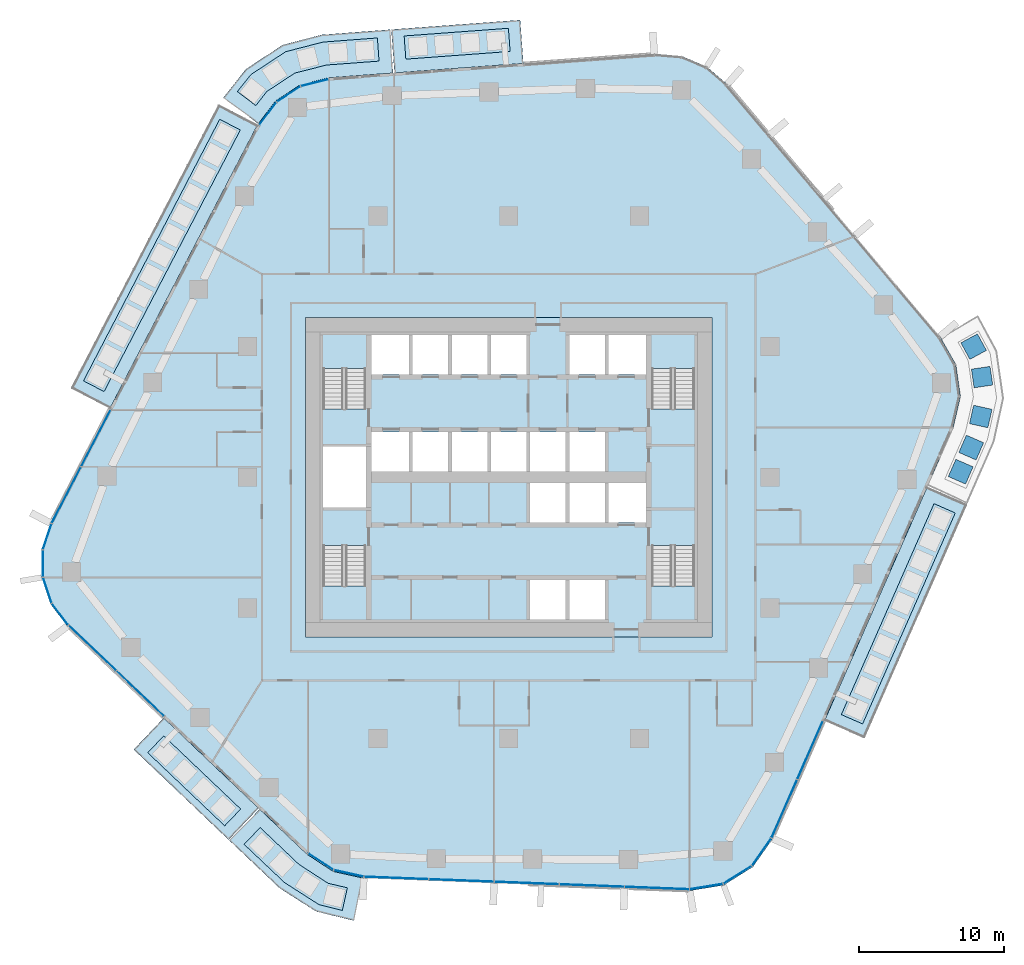
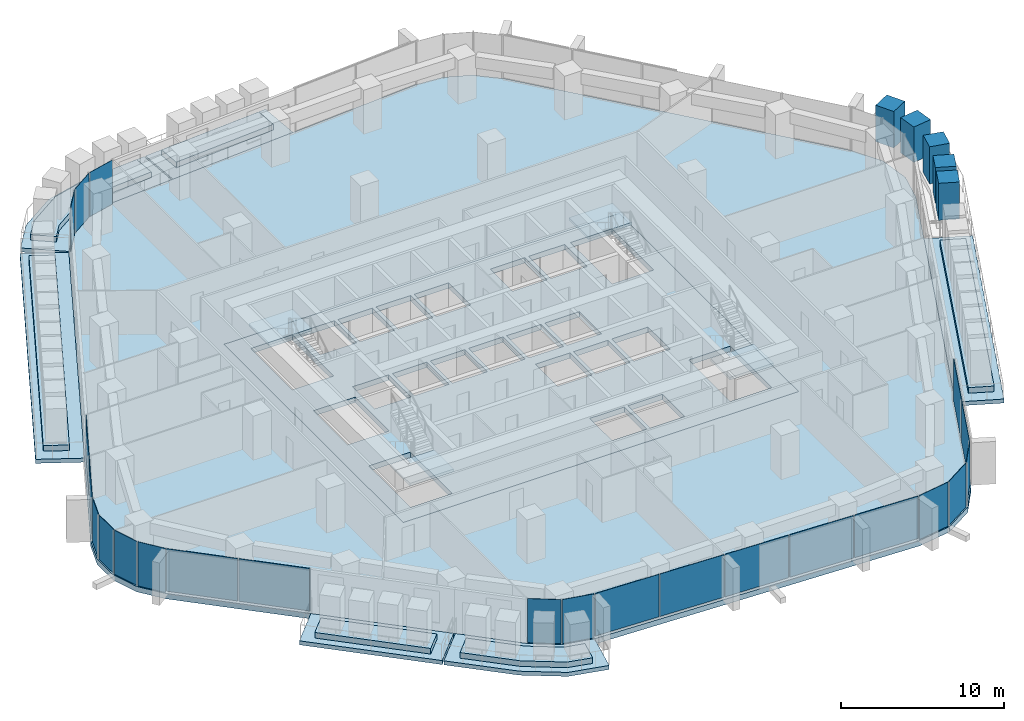
# One storey, part 10 of 23: 23 plates, 18 slabs, 5 members, 12 elements without a shape of their own.
"""IFC4 building model written with IfcOpenShell, lengths in metres."""

from ifc_helpers import new_model, si_unit, direction, frame, origin, origin_2d, place, context, subcontext, project, spatial, polyline, rectangle, outline, extrude, material, layer, layer_set, material_profile, profile_set, type_object, element, aggregate, save


model = new_model("IFC4")

# Units and contexts
model_context = context("Model", 3, precision=1e-05, world=origin(), true_north=direction((0.0, 1.0)))
body_context = subcontext(model_context, "Body", "Model", "MODEL_VIEW")
ifc_project = project(units=[si_unit("LENGTHUNIT", "METRE"), si_unit("AREAUNIT", "SQUARE_METRE"), si_unit("VOLUMEUNIT", "CUBIC_METRE"), si_unit("PLANEANGLEUNIT", "RADIAN"), si_unit("MASSUNIT", "GRAM", prefix="KILO")], contexts=[model_context])

# Site, building, storey
site_placement = place(None, origin())
site = spatial("IfcSite", under=ifc_project, at=site_placement, CompositionType="ELEMENT")
building_placement = place(site_placement, origin())
building = spatial("IfcBuilding", under=site, at=building_placement, Name="Dongbaek Canopy Tower", CompositionType="ELEMENT")
storey_placement = place(building_placement, frame((0.0, 0.0, 135.89990234375)))
storey = spatial("IfcBuildingStorey", under=building, at=storey_placement, Name="L30", CompositionType="ELEMENT", Elevation=135.89990234375)

# Members
ifc_material_1 = material(Name="Concrete C40/50 planter mass with planting", Category="concrete")
ifc_material_profile = material_profile(ifc_material_1, rectangle(XDim=1.300048828125, YDim=1.300048828125, at=origin_2d()), Name="Terrace PLANTER shrub mass 1300 x 1300")
ifc_profile_set = profile_set([ifc_material_profile], Name="Concrete C40/50 planter mass with planting")
member_type = type_object("IfcMemberType", Name="Terrace PLANTER shrub mass 1300 x 1300", PredefinedType="USERDEFINED", material=ifc_profile_set)
member_1_placement = place(storey_placement, frame((31.1435546875, 0.381591796875, 0.420166015625), z_axis=(0.0, 0.0, 1.0), x_axis=(0.916368384555, -0.40033608854, 0.0)))
element("IfcMember", 1, at=member_1_placement, inside=storey, type_object=member_type, Name="Planter shrubs L30 5.1", ObjectType="PLANTER", PredefinedType="USERDEFINED", context=body_context, shape_type="SweptSolid", body=[
    extrude(rectangle(XDim=1.300048828125, YDim=1.300048828125, at=origin_2d()), origin(), (0.0, 0.0, 1.0), 2.77001953125),
])
member_2_placement = place(storey_placement, frame((31.869140625, 2.042724609375, 0.420166015625), z_axis=(0.0, 0.0, 1.0), x_axis=(0.916368384555, -0.40033608854, 0.0)))
element("IfcMember", 2, at=member_2_placement, inside=storey, type_object=member_type, Name="Planter shrubs L30 5.2", ObjectType="PLANTER", PredefinedType="USERDEFINED", context=body_context, shape_type="SweptSolid", body=[
    extrude(rectangle(XDim=1.300048828125, YDim=1.300048828125, at=origin_2d()), origin(), (0.0, 0.0, 1.0), 2.68994140625),
])
member_3_placement = place(storey_placement, frame((32.525146484375, 4.183837890625, 0.420166015625), z_axis=(0.0, 0.0, 1.0), x_axis=(0.975891989306, -0.218254038242, 0.0)))
element("IfcMember", 3, at=member_3_placement, inside=storey, type_object=member_type, Name="Planter shrubs L30 5.3", ObjectType="PLANTER", PredefinedType="USERDEFINED", context=body_context, shape_type="SweptSolid", body=[
    extrude(rectangle(XDim=1.300048828125, YDim=1.300048828125, at=origin_2d()), origin(), (0.0, 0.0, 1.0), 2.780029296875),
])
member_4_placement = place(storey_placement, frame((32.615234375, 6.899658203125, 0.420166015625), z_axis=(0.0, 0.0, 1.0), x_axis=(0.989740633835, 0.142875742295, 0.0)))
element("IfcMember", 4, at=member_4_placement, inside=storey, type_object=member_type, Name="Planter shrubs L30 5.4", ObjectType="PLANTER", PredefinedType="USERDEFINED", context=body_context, shape_type="SweptSolid", body=[
    extrude(rectangle(XDim=1.300048828125, YDim=1.300048828125, at=origin_2d()), origin(), (0.0, 0.0, 1.0), 2.64990234375),
])
member_5_placement = place(storey_placement, frame((32.036376953125, 8.999267578125, 0.420166015625), z_axis=(0.0, 0.0, 1.0), x_axis=(0.879276627689, 0.476311465325, 0.0)))
element("IfcMember", 5, at=member_5_placement, inside=storey, type_object=member_type, Name="Planter shrubs L30 5.5", ObjectType="PLANTER", PredefinedType="USERDEFINED", context=body_context, shape_type="SweptSolid", body=[
    extrude(rectangle(XDim=1.300048828125, YDim=1.300048828125, at=origin_2d()), origin(), (0.0, 0.0, 1.0), 2.72998046875),
])

# Slabs
ifc_material_2 = material(Name="Concrete C40/50", Category="concrete")
ifc_layer_1 = layer(ifc_material_2, 0.300048828125)
ifc_layer_set_1 = layer_set([ifc_layer_1], Name="Balcony slab 300")
slab_type_1 = type_object("IfcSlabType", Name="Balcony slab 300", PredefinedType="FLOOR", material=ifc_layer_set_1)
slab_1_placement = place(storey_placement, frame((0.0, 0.0, -0.2998046875)))
element("IfcSlab", 6, at=slab_1_placement, inside=storey, type_object=slab_type_1, Name="Balcony L30 1", PredefinedType="FLOOR", context=body_context, shape_type="SweptSolid", body=[
    extrude(outline(polyline([(1.007568359375, 28.51513671875), (-7.8740234375, 27.8603515625), (-8.094482421875, 30.852294921875), (0.787109375, 31.507080078125), (1.007568359375, 28.51513671875)])), origin(), (0.0, 0.0, 1.0), 0.2998046875),
])
slab_2_placement = place(storey_placement, frame((0.0, 0.0, -0.2998046875)))
element("IfcSlab", 7, at=slab_2_placement, inside=storey, type_object=slab_type_1, Name="Balcony L30 6", PredefinedType="FLOOR", context=body_context, shape_type="SweptSolid", body=[
    extrude(outline(polyline([(-7.9736328125, 27.85302734375), (-12.41455078125, 27.525634765625), (-14.37939453125, 27.038330078125), (-16.0703125, 25.92529296875), (-17.2646484375, 24.353271484375), (-19.653564453125, 26.16796875), (-18.118896484375, 28.1171875), (-15.582275390625, 29.78662109375), (-12.887451171875, 30.48828125), (-8.1943359375, 30.844970703125), (-7.9736328125, 27.85302734375)])), origin(), (0.0, 0.0, 1.0), 0.2998046875),
])
slab_3_placement = place(storey_placement, frame((0.0, 0.0, -0.2998046875)))
element("IfcSlab", 8, at=slab_3_placement, inside=storey, type_object=slab_type_1, Name="Balcony L30 2", PredefinedType="FLOOR", context=body_context, shape_type="SweptSolid", body=[
    extrude(outline(polyline([(-17.318115234375, 24.26904296875), (-27.489990234375, 4.737548828125), (-30.150634765625, 6.123291015625), (-19.978759765625, 25.65478515625), (-17.318115234375, 24.26904296875)])), origin(), (0.0, 0.0, 1.0), 0.2998046875),
])
slab_4_placement = place(storey_placement, frame((0.0, 0.0, -0.2998046875)))
element("IfcSlab", 9, at=slab_4_placement, inside=storey, type_object=slab_type_1, Name="Balcony L30 3", PredefinedType="FLOOR", context=body_context, shape_type="SweptSolid", body=[
    extrude(outline(polyline([(-23.774169921875, -16.59130859375), (-17.242431640625, -22.805908203125), (-19.310302734375, -24.979248046875), (-25.842041015625, -18.7646484375), (-23.774169921875, -16.59130859375)])), origin(), (0.0, 0.0, 1.0), 0.2998046875),
])
slab_5_placement = place(storey_placement, frame((0.0, 0.0, -0.2998046875)))
element("IfcSlab", 10, at=slab_5_placement, inside=storey, type_object=slab_type_1, Name="Balcony L30 7", PredefinedType="FLOOR", context=body_context, shape_type="SweptSolid", body=[
    extrude(outline(polyline([(-17.169921875, -22.874755859375), (-13.904052734375, -25.982177734375), (-12.102294921875, -27.16259765625), (-10.048583984375, -27.619873046875), (-10.70068359375, -30.54833984375), (-13.269287109375, -29.92626953125), (-15.767578125, -28.3330078125), (-19.23779296875, -25.048095703125), (-17.169921875, -22.874755859375)])), origin(), (0.0, 0.0, 1.0), 0.2998046875),
])
slab_6_placement = place(storey_placement, frame((0.0, 0.0, -0.2998046875)))
element("IfcSlab", 11, at=slab_6_placement, inside=storey, type_object=slab_type_1, Name="Balcony L30 4", PredefinedType="FLOOR", context=body_context, shape_type="SweptSolid", body=[
    extrude(outline(polyline([(21.761962890625, -16.77783203125), (28.8310546875, -0.68505859375), (31.57763671875, -1.8916015625), (24.5087890625, -17.984375), (21.761962890625, -16.77783203125)])), origin(), (0.0, 0.0, 1.0), 0.2998046875),
])

# Curtain wall, plates
ifc_material_3 = material(Name="Aluminium 6063-T6 pale anodised", Category="aluminium")
ifc_layer_2 = layer(ifc_material_3, 0.199951171875)
ifc_layer_set_2 = layer_set([ifc_layer_2], Name="CW-1 unitised tower curtain wall")
curtain_wall_type = type_object("IfcCurtainWallType", Name="CW-1 unitised tower curtain wall", PredefinedType="NOTDEFINED", material=ifc_layer_set_2)
curtain_wall_1_placement = place(storey_placement, origin())
curtain_wall_1 = element("IfcCurtainWall", 12, at=curtain_wall_1_placement, inside=storey, type_object=curtain_wall_type, Name="CW-1 curtain wall K2.1", PredefinedType="NOTDEFINED")
ifc_material_4 = material(Name="Clear laminated glass", Category="glass")
ifc_layer_3 = layer(ifc_material_4, 0.028076171875)
ifc_layer_set_3 = layer_set([ifc_layer_3], Name="CW-1 glazed panel 28")
plate_type = type_object("IfcPlateType", Name="CW-1 glazed panel 28", PredefinedType="CURTAIN_PANEL", material=ifc_layer_set_3)
plate_1_placement = place(storey_placement, frame((-13.36865234375, 27.18603515625, 0.0), z_axis=(0.0, 0.0, 1.0), x_axis=(-0.970597377622, -0.240708808634, 0.0)))
plate_1 = element("IfcPlate", 13, at=plate_1_placement, type_object=plate_type, Name="CW-1 panel K2.1.1.1", PredefinedType="CURTAIN_PANEL", context=body_context, shape_type="SweptSolid", body=[
    extrude(rectangle(XDim=1.914794921875, YDim=0.028076171875, at=origin_2d()), origin(), (0.0, 0.0, 1.0), 3.300048828125),
])
plate_2_placement = place(storey_placement, frame((-15.169921875, 26.3984375, 0.0), z_axis=(0.0, 0.0, 1.0), x_axis=(-0.835300549242, -0.549793590756, 0.0)))
plate_2 = element("IfcPlate", 14, at=plate_2_placement, type_object=plate_type, Name="CW-1 panel K2.1.2.1", PredefinedType="CURTAIN_PANEL", context=body_context, shape_type="SweptSolid", body=[
    extrude(rectangle(XDim=1.90625, YDim=0.028076171875, at=origin_2d()), origin(), (0.0, 0.0, 1.0), 3.300048828125),
])
plate_3_placement = place(storey_placement, frame((-16.60546875, 25.055419921875, 0.0), z_axis=(0.0, 0.0, 1.0), x_axis=(-0.604914247086, -0.796290621364, 0.0)))
plate_3 = element("IfcPlate", 15, at=plate_3_placement, type_object=plate_type, Name="CW-1 panel K2.1.3.1", PredefinedType="CURTAIN_PANEL", context=body_context, shape_type="SweptSolid", body=[
    extrude(rectangle(XDim=1.914794921875, YDim=0.028076171875, at=origin_2d()), origin(), (0.0, 0.0, 1.0), 3.300048828125),
])
aggregate(curtain_wall_1, [plate_1, plate_2, plate_3])

curtain_wall_2_placement = place(storey_placement, origin())
curtain_wall_2 = element("IfcCurtainWall", 16, at=curtain_wall_2_placement, inside=storey, type_object=curtain_wall_type, Name="CW-1 curtain wall F2.1", PredefinedType="NOTDEFINED")
plate_4_placement = place(storey_placement, frame((-28.4462890625, 2.68505859375, 0.1201171875), z_axis=(0.0, 0.0, 1.0), x_axis=(-0.461910135693, -0.886926731215, 0.0)))
plate_4 = element("IfcPlate", 17, at=plate_4_placement, type_object=plate_type, Name="CW-1 panel F2.1.1.1", PredefinedType="CURTAIN_PANEL", context=body_context, shape_type="SweptSolid", body=[
    extrude(rectangle(XDim=4.34033203125, YDim=0.028076171875, at=origin_2d()), origin(), (0.0, 0.0, 1.0), 3.179931640625),
])
plate_5_placement = place(storey_placement, frame((-30.488037109375, -1.2353515625, 0.1201171875), z_axis=(0.0, 0.0, 1.0), x_axis=(-0.461910135693, -0.886926731215, 0.0)))
plate_5 = element("IfcPlate", 18, at=plate_5_placement, type_object=plate_type, Name="CW-1 panel F2.1.2.1", PredefinedType="CURTAIN_PANEL", context=body_context, shape_type="SweptSolid", body=[
    extrude(rectangle(XDim=4.332275390625, YDim=0.028076171875, at=origin_2d()), origin(), (0.0, 0.0, 1.0), 3.179931640625),
])
aggregate(curtain_wall_2, [plate_4, plate_5])

curtain_wall_3_placement = place(storey_placement, origin())
curtain_wall_3 = element("IfcCurtainWall", 19, at=curtain_wall_3_placement, inside=storey, type_object=curtain_wall_type, Name="CW-1 curtain wall K3.1", PredefinedType="NOTDEFINED")
plate_6_placement = place(storey_placement, frame((-31.80615234375, -4.097412109375, 0.0), z_axis=(0.0, 0.0, 1.0), x_axis=(-0.31347024555, -0.949598022931, 0.0)))
plate_6 = element("IfcPlate", 20, at=plate_6_placement, type_object=plate_type, Name="CW-1 panel K3.1.1.1", PredefinedType="CURTAIN_PANEL", context=body_context, shape_type="SweptSolid", body=[
    extrude(rectangle(XDim=1.81884765625, YDim=0.028076171875, at=origin_2d()), origin(), (0.0, 0.0, 1.0), 3.300048828125),
])
plate_7_placement = place(storey_placement, frame((-32.100830078125, -5.9482421875, 0.0), z_axis=(0.0, 0.0, 1.0), x_axis=(0.003759466115, -0.999992933182, 0.0)))
plate_7 = element("IfcPlate", 21, at=plate_7_placement, type_object=plate_type, Name="CW-1 panel K3.1.2.1", PredefinedType="CURTAIN_PANEL", context=body_context, shape_type="SweptSolid", body=[
    extrude(rectangle(XDim=1.810791015625, YDim=0.028076171875, at=origin_2d()), origin(), (0.0, 0.0, 1.0), 3.300048828125),
])
plate_8_placement = place(storey_placement, frame((-31.79345703125, -7.79296875, 0.0), z_axis=(0.0, 0.0, 1.0), x_axis=(0.320601297373, -0.9472142356, 0.0)))
plate_8 = element("IfcPlate", 22, at=plate_8_placement, type_object=plate_type, Name="CW-1 panel K3.1.3.1", PredefinedType="CURTAIN_PANEL", context=body_context, shape_type="SweptSolid", body=[
    extrude(rectangle(XDim=1.810791015625, YDim=0.028076171875, at=origin_2d()), origin(), (0.0, 0.0, 1.0), 3.300048828125),
])
plate_9_placement = place(storey_placement, frame((-30.914794921875, -9.4482421875, 0.0), z_axis=(0.0, 0.0, 1.0), x_axis=(0.604365302334, -0.796707337317, 0.0)))
plate_9 = element("IfcPlate", 23, at=plate_9_placement, type_object=plate_type, Name="CW-1 panel K3.1.4.1", PredefinedType="CURTAIN_PANEL", context=body_context, shape_type="SweptSolid", body=[
    extrude(rectangle(XDim=1.81884765625, YDim=0.028076171875, at=origin_2d()), origin(), (0.0, 0.0, 1.0), 3.300048828125),
])
aggregate(curtain_wall_3, [plate_6, plate_7, plate_8, plate_9])

curtain_wall_4_placement = place(storey_placement, origin())
curtain_wall_4 = element("IfcCurtainWall", 24, at=curtain_wall_4_placement, inside=storey, type_object=curtain_wall_type, Name="CW-1 curtain wall F3.1", PredefinedType="NOTDEFINED")
plate_10_placement = place(storey_placement, frame((-28.691650390625, -11.7744140625, 0.1201171875), z_axis=(0.0, 0.0, 1.0), x_axis=(0.724474243555, -0.689301871769, 0.0)))
plate_10 = element("IfcPlate", 25, at=plate_10_placement, type_object=plate_type, Name="CW-1 panel F3.1.1.1", PredefinedType="CURTAIN_PANEL", context=body_context, shape_type="SweptSolid", body=[
    extrude(rectangle(XDim=4.4658203125, YDim=0.028076171875, at=origin_2d()), origin(), (0.0, 0.0, 1.0), 3.179931640625),
])
plate_11_placement = place(storey_placement, frame((-25.392578125, -14.913330078125, 0.1201171875), z_axis=(0.0, 0.0, 1.0), x_axis=(0.724474243555, -0.689301871769, 0.0)))
plate_11 = element("IfcPlate", 26, at=plate_11_placement, type_object=plate_type, Name="CW-1 panel F3.1.2.1", PredefinedType="CURTAIN_PANEL", context=body_context, shape_type="SweptSolid", body=[
    extrude(rectangle(XDim=4.473876953125, YDim=0.028076171875, at=origin_2d()), origin(), (0.0, 0.0, 1.0), 3.179931640625),
])
aggregate(curtain_wall_4, [plate_10, plate_11])

curtain_wall_5_placement = place(storey_placement, origin())
curtain_wall_5 = element("IfcCurtainWall", 27, at=curtain_wall_5_placement, inside=storey, type_object=curtain_wall_type, Name="CW-1 curtain wall K4.1", PredefinedType="NOTDEFINED")
plate_12_placement = place(storey_placement, frame((-12.9521484375, -26.486328125, 0.0), z_axis=(0.0, 0.0, 1.0), x_axis=(0.83643911964, -0.548059849958, 0.0)))
plate_12 = element("IfcPlate", 28, at=plate_12_placement, type_object=plate_type, Name="CW-1 panel K4.1.1.1", PredefinedType="CURTAIN_PANEL", context=body_context, shape_type="SweptSolid", body=[
    extrude(rectangle(XDim=2.042724609375, YDim=0.028076171875, at=origin_2d()), origin(), (0.0, 0.0, 1.0), 3.300048828125),
])
plate_13_placement = place(storey_placement, frame((-11.02490234375, -27.300048828125, 0.0), z_axis=(0.0, 0.0, 1.0), x_axis=(0.976098056776, -0.21733058588, 0.0)))
plate_13 = element("IfcPlate", 29, at=plate_13_placement, type_object=plate_type, Name="CW-1 panel K4.1.2.1", PredefinedType="CURTAIN_PANEL", context=body_context, shape_type="SweptSolid", body=[
    extrude(rectangle(XDim=2.042724609375, YDim=0.028076171875, at=origin_2d()), origin(), (0.0, 0.0, 1.0), 3.300048828125),
])
aggregate(curtain_wall_5, [plate_12, plate_13])

curtain_wall_6_placement = place(storey_placement, origin())
curtain_wall_6 = element("IfcCurtainWall", 30, at=curtain_wall_6_placement, inside=storey, type_object=curtain_wall_type, Name="CW-1 curtain wall F4.1", PredefinedType="NOTDEFINED")
plate_14_placement = place(storey_placement, frame((-7.7451171875, -27.61767578125, 0.1201171875), z_axis=(0.0, 0.0, 1.0), x_axis=(0.999255235504, -0.038587229989, 0.0)))
plate_14 = element("IfcPlate", 31, at=plate_14_placement, type_object=plate_type, Name="CW-1 panel F4.1.1.1", PredefinedType="CURTAIN_PANEL", context=body_context, shape_type="SweptSolid", body=[
    extrude(rectangle(XDim=4.40283203125, YDim=0.028076171875, at=origin_2d()), origin(), (0.0, 0.0, 1.0), 3.179931640625),
])
plate_15_placement = place(storey_placement, frame((-3.25732421875, -27.791015625, 0.1201171875), z_axis=(0.0, 0.0, 1.0), x_axis=(0.999255235504, -0.038587229989, 0.0)))
plate_15 = element("IfcPlate", 32, at=plate_15_placement, type_object=plate_type, Name="CW-1 panel F4.1.2.1", PredefinedType="CURTAIN_PANEL", context=body_context, shape_type="SweptSolid", body=[
    extrude(rectangle(XDim=4.411865234375, YDim=0.028076171875, at=origin_2d()), origin(), (0.0, 0.0, 1.0), 3.179931640625),
])
plate_16_placement = place(storey_placement, frame((1.235107421875, -27.964599609375, 0.1201171875), z_axis=(0.0, 0.0, 1.0), x_axis=(0.999255235504, -0.038587229989, 0.0)))
plate_16 = element("IfcPlate", 33, at=plate_16_placement, type_object=plate_type, Name="CW-1 panel F4.1.3.1", PredefinedType="CURTAIN_PANEL", context=body_context, shape_type="SweptSolid", body=[
    extrude(rectangle(XDim=4.411865234375, YDim=0.028076171875, at=origin_2d()), origin(), (0.0, 0.0, 1.0), 3.179931640625),
])
plate_17_placement = place(storey_placement, frame((5.7275390625, -28.137939453125, 0.1201171875), z_axis=(0.0, 0.0, 1.0), x_axis=(0.999255235504, -0.038587229989, 0.0)))
plate_17 = element("IfcPlate", 34, at=plate_17_placement, type_object=plate_type, Name="CW-1 panel F4.1.4.1", PredefinedType="CURTAIN_PANEL", context=body_context, shape_type="SweptSolid", body=[
    extrude(rectangle(XDim=4.411865234375, YDim=0.028076171875, at=origin_2d()), origin(), (0.0, 0.0, 1.0), 3.179931640625),
])
plate_18_placement = place(storey_placement, frame((10.215087890625, -28.311279296875, 0.1201171875), z_axis=(0.0, 0.0, 1.0), x_axis=(0.999255235504, -0.038587229989, 0.0)))
plate_18 = element("IfcPlate", 35, at=plate_18_placement, type_object=plate_type, Name="CW-1 panel F4.1.5.1", PredefinedType="CURTAIN_PANEL", context=body_context, shape_type="SweptSolid", body=[
    extrude(rectangle(XDim=4.40185546875, YDim=0.028076171875, at=origin_2d()), origin(), (0.0, 0.0, 1.0), 3.179931640625),
])
aggregate(curtain_wall_6, [plate_14, plate_15, plate_16, plate_17, plate_18])

curtain_wall_7_placement = place(storey_placement, origin())
curtain_wall_7 = element("IfcCurtainWall", 36, at=curtain_wall_7_placement, inside=storey, type_object=curtain_wall_type, Name="CW-1 curtain wall K5.1", PredefinedType="NOTDEFINED")
plate_19_placement = place(storey_placement, frame((13.61376953125, -28.21044921875, 0.0), z_axis=(0.0, 0.0, 1.0), x_axis=(0.987122987315, 0.159963145489, 0.0)))
plate_19 = element("IfcPlate", 37, at=plate_19_placement, type_object=plate_type, Name="CW-1 panel K5.1.1.1", PredefinedType="CURTAIN_PANEL", context=body_context, shape_type="SweptSolid", body=[
    extrude(rectangle(XDim=2.260986328125, YDim=0.028076171875, at=origin_2d()), origin(), (0.0, 0.0, 1.0), 3.300048828125),
])
plate_20_placement = place(storey_placement, frame((15.7607421875, -27.403564453125, 0.0), z_axis=(0.0, 0.0, 1.0), x_axis=(0.847704415515, 0.53046887177, 0.0)))
plate_20 = element("IfcPlate", 38, at=plate_20_placement, type_object=plate_type, Name="CW-1 panel K5.1.2.1", PredefinedType="CURTAIN_PANEL", context=body_context, shape_type="SweptSolid", body=[
    extrude(rectangle(XDim=2.250732421875, YDim=0.028076171875, at=origin_2d()), origin(), (0.0, 0.0, 1.0), 3.300048828125),
])
plate_21_placement = place(storey_placement, frame((17.425048828125, -25.8251953125, 0.0), z_axis=(0.0, 0.0, 1.0), x_axis=(0.575440362744, 0.817843743587, 0.0)))
plate_21 = element("IfcPlate", 39, at=plate_21_placement, type_object=plate_type, Name="CW-1 panel K5.1.3.1", PredefinedType="CURTAIN_PANEL", context=body_context, shape_type="SweptSolid", body=[
    extrude(rectangle(XDim=2.260986328125, YDim=0.028076171875, at=origin_2d()), origin(), (0.0, 0.0, 1.0), 3.300048828125),
])
aggregate(curtain_wall_7, [plate_19, plate_20, plate_21])

curtain_wall_8_placement = place(storey_placement, origin())
curtain_wall_8 = element("IfcCurtainWall", 40, at=curtain_wall_8_placement, inside=storey, type_object=curtain_wall_type, Name="CW-1 curtain wall F5.1", PredefinedType="NOTDEFINED")
plate_22_placement = place(storey_placement, frame((18.986572265625, -22.847900390625, 0.1201171875), z_axis=(0.0, 0.0, 1.0), x_axis=(0.402176063698, 0.915562348389, 0.0)))
plate_22 = element("IfcPlate", 41, at=plate_22_placement, type_object=plate_type, Name="CW-1 panel F5.1.1.1", PredefinedType="CURTAIN_PANEL", context=body_context, shape_type="SweptSolid", body=[
    extrude(rectangle(XDim=4.3251953125, YDim=0.028076171875, at=origin_2d()), origin(), (0.0, 0.0, 1.0), 3.179931640625),
])
plate_23_placement = place(storey_placement, frame((20.76171875, -18.806396484375, 0.1201171875), z_axis=(0.0, 0.0, 1.0), x_axis=(0.402176063698, 0.915562348389, 0.0)))
plate_23 = element("IfcPlate", 42, at=plate_23_placement, type_object=plate_type, Name="CW-1 panel F5.1.2.1", PredefinedType="CURTAIN_PANEL", context=body_context, shape_type="SweptSolid", body=[
    extrude(rectangle(XDim=4.335205078125, YDim=0.028076171875, at=origin_2d()), origin(), (0.0, 0.0, 1.0), 3.179931640625),
])
aggregate(curtain_wall_8, [plate_22, plate_23])

# Slab
ifc_material_5 = material(Name="Concrete C40/50", Category="concrete")
ifc_layer_4 = layer(ifc_material_5, 0.39990234375)
ifc_layer_set_4 = layer_set([ifc_layer_4], Name="Core floor slab 400 Concrete C40/50")
slab_type_2 = type_object("IfcSlabType", Name="Core floor slab 400 Concrete C40/50", PredefinedType="FLOOR", material=ifc_layer_set_4)
slab_7_placement = place(storey_placement, frame((0.0, 0.0, -0.39990234375)))
element("IfcSlab", 43, at=slab_7_placement, inside=storey, type_object=slab_type_2, Name="Core floor slab L30", PredefinedType="FLOOR", context=body_context, shape_type="SweptSolid", body=[
    extrude(outline(polyline([(14.0, -11.0), (14.0, 11.0), (-14.0, 11.0), (-14.0, -11.0), (14.0, -11.0)]), holes=[polyline([(-12.800048828125, 2.10009765625), (-9.85009765625, 2.10009765625), (-9.85009765625, -2.10009765625), (-12.800048828125, -2.10009765625), (-12.800048828125, 2.10009765625)]), polyline([(-6.875, 9.800048828125), (-6.875, 7.074951171875), (-9.449951171875, 7.074951171875), (-9.449951171875, 9.800048828125), (-6.875, 9.800048828125)]), polyline([(-4.175048828125, 9.800048828125), (-4.175048828125, 7.074951171875), (-6.625, 7.074951171875), (-6.625, 9.800048828125), (-4.175048828125, 9.800048828125)]), polyline([(-1.47509765625, 9.800048828125), (-1.47509765625, 7.074951171875), (-3.925048828125, 7.074951171875), (-3.925048828125, 9.800048828125), (-1.47509765625, 9.800048828125)]), polyline([(1.22509765625, 9.800048828125), (1.22509765625, 7.074951171875), (-1.22509765625, 7.074951171875), (-1.22509765625, 9.800048828125), (1.22509765625, 9.800048828125)]), polyline([(6.625, 9.800048828125), (6.625, 7.074951171875), (4.175048828125, 7.074951171875), (4.175048828125, 9.800048828125), (6.625, 9.800048828125)]), polyline([(9.449951171875, 7.074951171875), (6.875, 7.074951171875), (6.875, 9.800048828125), (9.449951171875, 9.800048828125), (9.449951171875, 7.074951171875)]), polyline([(-9.449951171875, 3.125), (-6.875, 3.125), (-6.875, 0.39990234375), (-9.449951171875, 0.39990234375), (-9.449951171875, 3.125)]), polyline([(-6.625, 3.125), (-4.175048828125, 3.125), (-4.175048828125, 0.39990234375), (-6.625, 0.39990234375), (-6.625, 3.125)]), polyline([(-3.925048828125, 3.125), (-1.47509765625, 3.125), (-1.47509765625, 0.39990234375), (-3.925048828125, 0.39990234375), (-3.925048828125, 3.125)]), polyline([(1.22509765625, 3.125), (1.22509765625, 0.39990234375), (-1.22509765625, 0.39990234375), (-1.22509765625, 3.125), (1.22509765625, 3.125)]), polyline([(1.47509765625, 3.125), (3.925048828125, 3.125), (3.925048828125, 0.39990234375), (1.47509765625, 0.39990234375), (1.47509765625, 3.125)]), polyline([(4.175048828125, 3.125), (6.625, 3.125), (6.625, 0.39990234375), (4.175048828125, 0.39990234375), (4.175048828125, 3.125)]), polyline([(1.47509765625, -0.39990234375), (3.925048828125, -0.39990234375), (3.925048828125, -3.125), (1.47509765625, -3.125), (1.47509765625, -0.39990234375)]), polyline([(4.175048828125, -0.39990234375), (6.625, -0.39990234375), (6.625, -3.125), (4.175048828125, -3.125), (4.175048828125, -0.39990234375)]), polyline([(9.449951171875, -3.125), (6.875, -3.125), (6.875, -0.39990234375), (9.449951171875, -0.39990234375), (9.449951171875, -3.125)]), polyline([(1.47509765625, -9.800048828125), (1.47509765625, -7.074951171875), (3.925048828125, -7.074951171875), (3.925048828125, -9.800048828125), (1.47509765625, -9.800048828125)]), polyline([(4.175048828125, -9.800048828125), (4.175048828125, -7.074951171875), (6.625, -7.074951171875), (6.625, -9.800048828125), (4.175048828125, -9.800048828125)]), polyline([(12.800048828125, 4.70068359375), (12.800048828125, 9.800048828125), (9.85009765625, 9.800048828125), (9.85009765625, 4.70068359375), (12.800048828125, 4.70068359375)]), polyline([(-9.85009765625, 4.70068359375), (-9.85009765625, 9.800048828125), (-12.800048828125, 9.800048828125), (-12.800048828125, 4.70068359375), (-9.85009765625, 4.70068359375)]), polyline([(9.85009765625, -4.70068359375), (9.85009765625, -9.800048828125), (12.800048828125, -9.800048828125), (12.800048828125, -4.70068359375), (9.85009765625, -4.70068359375)]), polyline([(-12.800048828125, -4.70068359375), (-12.800048828125, -9.800048828125), (-9.85009765625, -9.800048828125), (-9.85009765625, -4.70068359375), (-12.800048828125, -4.70068359375)])]), origin(), (0.0, 0.0, 1.0), 0.39990234375),
])

# Stair, slab
ifc_material_6 = material(Name="Concrete C40/50", Category="concrete")
stair_type = type_object("IfcStairType", Name="Core exit stair", PredefinedType="HALF_TURN_STAIR", material=ifc_material_6)
stair_1_placement = place(storey_placement, origin())
stair_1 = element("IfcStair", 44, at=stair_1_placement, inside=storey, type_object=stair_type, Name="L30 exit stair A", PredefinedType="HALF_TURN_STAIR")
ifc_material_7 = material(Name="Concrete C40/50", Category="concrete")
ifc_layer_5 = layer(ifc_material_7, 0.199951171875)
ifc_layer_set_5 = layer_set([ifc_layer_5], Name="Core stair landing 200")
slab_type_3 = type_object("IfcSlabType", Name="Core stair landing 200", PredefinedType="LANDING", material=ifc_layer_set_5)
slab_8_placement = place(storey_placement, frame((0.0, 0.0, 1.650146484375)))
slab_8 = element("IfcSlab", 45, at=slab_8_placement, type_object=slab_type_3, Name="ST-A landing 1", PredefinedType="LANDING", context=body_context, shape_type="SweptSolid", body=[
    extrude(outline(polyline([(12.875, 7.5), (12.875, 9.875), (9.77490234375, 9.875), (9.77490234375, 7.5), (12.875, 7.5)])), origin(), (0.0, 0.0, 1.0), 0.199951171875),
])
aggregate(stair_1, [slab_8])

stair_2_placement = place(storey_placement, origin())
stair_2 = element("IfcStair", 46, at=stair_2_placement, inside=storey, type_object=stair_type, Name="L30 exit stair C", PredefinedType="HALF_TURN_STAIR")
slab_9_placement = place(storey_placement, frame((0.0, 0.0, 1.650146484375)))
slab_9 = element("IfcSlab", 47, at=slab_9_placement, type_object=slab_type_3, Name="ST-C landing 1", PredefinedType="LANDING", context=body_context, shape_type="SweptSolid", body=[
    extrude(outline(polyline([(-9.77490234375, 7.5), (-9.77490234375, 9.875), (-12.875, 9.875), (-12.875, 7.5), (-9.77490234375, 7.5)])), origin(), (0.0, 0.0, 1.0), 0.199951171875),
])
aggregate(stair_2, [slab_9])

stair_3_placement = place(storey_placement, origin())
stair_3 = element("IfcStair", 48, at=stair_3_placement, inside=storey, type_object=stair_type, Name="L30 exit stair B", PredefinedType="HALF_TURN_STAIR")
slab_10_placement = place(storey_placement, frame((0.0, 0.0, 1.650146484375)))
slab_10 = element("IfcSlab", 49, at=slab_10_placement, type_object=slab_type_3, Name="ST-B landing 1", PredefinedType="LANDING", context=body_context, shape_type="SweptSolid", body=[
    extrude(outline(polyline([(9.77490234375, -7.5), (9.77490234375, -9.875), (12.875, -9.875), (12.875, -7.5), (9.77490234375, -7.5)])), origin(), (0.0, 0.0, 1.0), 0.199951171875),
])
aggregate(stair_3, [slab_10])

stair_4_placement = place(storey_placement, origin())
stair_4 = element("IfcStair", 50, at=stair_4_placement, inside=storey, type_object=stair_type, Name="L30 exit stair D", PredefinedType="HALF_TURN_STAIR")
slab_11_placement = place(storey_placement, frame((0.0, 0.0, 1.650146484375)))
slab_11 = element("IfcSlab", 51, at=slab_11_placement, type_object=slab_type_3, Name="ST-D landing 1", PredefinedType="LANDING", context=body_context, shape_type="SweptSolid", body=[
    extrude(outline(polyline([(-12.875, -7.5), (-12.875, -9.875), (-9.77490234375, -9.875), (-9.77490234375, -7.5), (-12.875, -7.5)])), origin(), (0.0, 0.0, 1.0), 0.199951171875),
])
aggregate(stair_4, [slab_11])

# Slabs
ifc_material_8 = material(Name="Concrete C40", Category="concrete")
ifc_layer_6 = layer(ifc_material_8, 0.39990234375)
ifc_layer_set_6 = layer_set([ifc_layer_6], Name="RC FLAT PLATE 400 Concrete C40")
slab_type_4 = type_object("IfcSlabType", Name="RC FLAT PLATE 400 Concrete C40", PredefinedType="FLOOR", material=ifc_layer_set_6)
slab_12_placement = place(storey_placement, frame((0.0, 0.0, -0.39990234375)))
element("IfcSlab", 52, at=slab_12_placement, inside=storey, type_object=slab_type_4, Name="SLAB:L30", PredefinedType="FLOOR", context=body_context, shape_type="SweptSolid", body=[
    extrude(outline(polyline([(18.1875, -24.915771484375), (16.820556640625, -26.8583984375), (14.80712890625, -28.118408203125), (12.46240234375, -28.498291015625), (-9.999755859375, -27.630859375), (-12.102294921875, -27.16259765625), (-13.904052734375, -25.982177734375), (-30.41455078125, -10.273193359375), (-31.579345703125, -8.73779296875), (-32.197265625, -6.912109375), (-32.20458984375, -4.985107421875), (-31.600341796875, -3.15478515625), (-17.294921875, 24.3134765625), (-16.0703125, 25.92529296875), (-14.37939453125, 27.038330078125), (-12.41455078125, 27.525634765625), (10.038818359375, 29.180908203125), (11.911865234375, 29.023681640625), (13.64453125, 28.294677734375), (15.06640625, 27.065185546875), (29.7216796875, 9.68798828125), (30.81298828125, 7.759033203125), (31.129638671875, 5.565673828125), (30.62841796875, 3.40673828125), (18.1875, -24.915771484375)]), holes=[polyline([(14.0, 11.0), (-14.0, 11.0), (-14.0, -11.0), (14.0, -11.0), (14.0, 11.0)])]), origin(), (0.0, 0.0, 1.0), 0.39990234375),
])
ifc_material_9 = material(Name="Reinforced concrete C40/50 planter box with soil", Category="concrete")
ifc_layer_7 = layer(ifc_material_9, 0.419921875)
ifc_layer_set_7 = layer_set([ifc_layer_7], Name="Terrace planter box 1600 x 420")
slab_type_5 = type_object("IfcSlabType", Name="Terrace planter box 1600 x 420", PredefinedType="USERDEFINED", material=ifc_layer_set_7)
slab_13_placement = place(storey_placement, origin())
element("IfcSlab", 53, at=slab_13_placement, inside=storey, type_object=slab_type_5, Name="Balcony planter L30 1", ObjectType="PLANTER", PredefinedType="USERDEFINED", context=body_context, shape_type="SweptSolid", body=[
    extrude(outline(polyline([(0.094482421875, 29.34033203125), (-7.091796875, 28.810546875), (-7.209228515625, 30.40625), (-0.023193359375, 30.93603515625), (0.094482421875, 29.34033203125)])), origin(), (0.0, 0.0, 1.0), 0.420166015625),
])
slab_14_placement = place(storey_placement, origin())
element("IfcSlab", 54, at=slab_14_placement, inside=storey, type_object=slab_type_5, Name="Balcony planter L30 6", ObjectType="PLANTER", PredefinedType="USERDEFINED", context=body_context, shape_type="SweptSolid", body=[
    extrude(outline(polyline([(-8.936767578125, 28.674560546875), (-12.5546875, 28.404541015625), (-14.736328125, 27.853759765625), (-16.677978515625, 26.57568359375), (-17.428955078125, 25.608154296875), (-18.702880859375, 26.576171875), (-17.7705078125, 27.74462890625), (-15.3779296875, 29.3193359375), (-12.80712890625, 29.984619140625), (-9.05419921875, 30.270263671875), (-8.936767578125, 28.674560546875)])), origin(), (0.0, 0.0, 1.0), 0.420166015625),
])
slab_15_placement = place(storey_placement, origin())
element("IfcSlab", 55, at=slab_15_placement, inside=storey, type_object=slab_type_5, Name="Balcony planter L30 2", ObjectType="PLANTER", PredefinedType="USERDEFINED", context=body_context, shape_type="SweptSolid", body=[
    extrude(outline(polyline([(-18.5, 23.92626953125), (-27.88671875, 5.902587890625), (-29.305908203125, 6.6416015625), (-19.919189453125, 24.665283203125), (-18.5, 23.92626953125)])), origin(), (0.0, 0.0, 1.0), 0.420166015625),
])
slab_16_placement = place(storey_placement, origin())
element("IfcSlab", 56, at=slab_16_placement, inside=storey, type_object=slab_type_5, Name="Balcony planter L30 3", ObjectType="PLANTER", PredefinedType="USERDEFINED", context=body_context, shape_type="SweptSolid", body=[
    extrude(outline(polyline([(-23.771728515625, -17.82177734375), (-18.4716796875, -22.86474609375), (-19.574462890625, -24.02392578125), (-24.874755859375, -18.98095703125), (-23.771728515625, -17.82177734375)])), origin(), (0.0, 0.0, 1.0), 0.420166015625),
])
slab_17_placement = place(storey_placement, origin())
element("IfcSlab", 57, at=slab_17_placement, inside=storey, type_object=slab_type_5, Name="Balcony planter L30 7", ObjectType="PLANTER", PredefinedType="USERDEFINED", context=body_context, shape_type="SweptSolid", body=[
    extrude(outline(polyline([(-17.13134765625, -24.139892578125), (-14.45703125, -26.679443359375), (-12.448486328125, -27.982666015625), (-11.12060546875, -28.29296875), (-11.46826171875, -29.854736328125), (-13.071044921875, -29.45654296875), (-15.450927734375, -27.933349609375), (-18.234375, -25.299072265625), (-17.13134765625, -24.139892578125)])), origin(), (0.0, 0.0, 1.0), 0.420166015625),
])
slab_18_placement = place(storey_placement, origin())
element("IfcSlab", 58, at=slab_18_placement, inside=storey, type_object=slab_type_5, Name="Balcony planter L30 4", ObjectType="PLANTER", PredefinedType="USERDEFINED", context=body_context, shape_type="SweptSolid", body=[
    extrude(outline(polyline([(22.918701171875, -16.357421875), (29.303955078125, -1.8212890625), (30.76904296875, -2.46484375), (24.3837890625, -17.0009765625), (22.918701171875, -16.357421875)])), origin(), (0.0, 0.0, 1.0), 0.420166015625),
])

save(model, "model.ifc")
